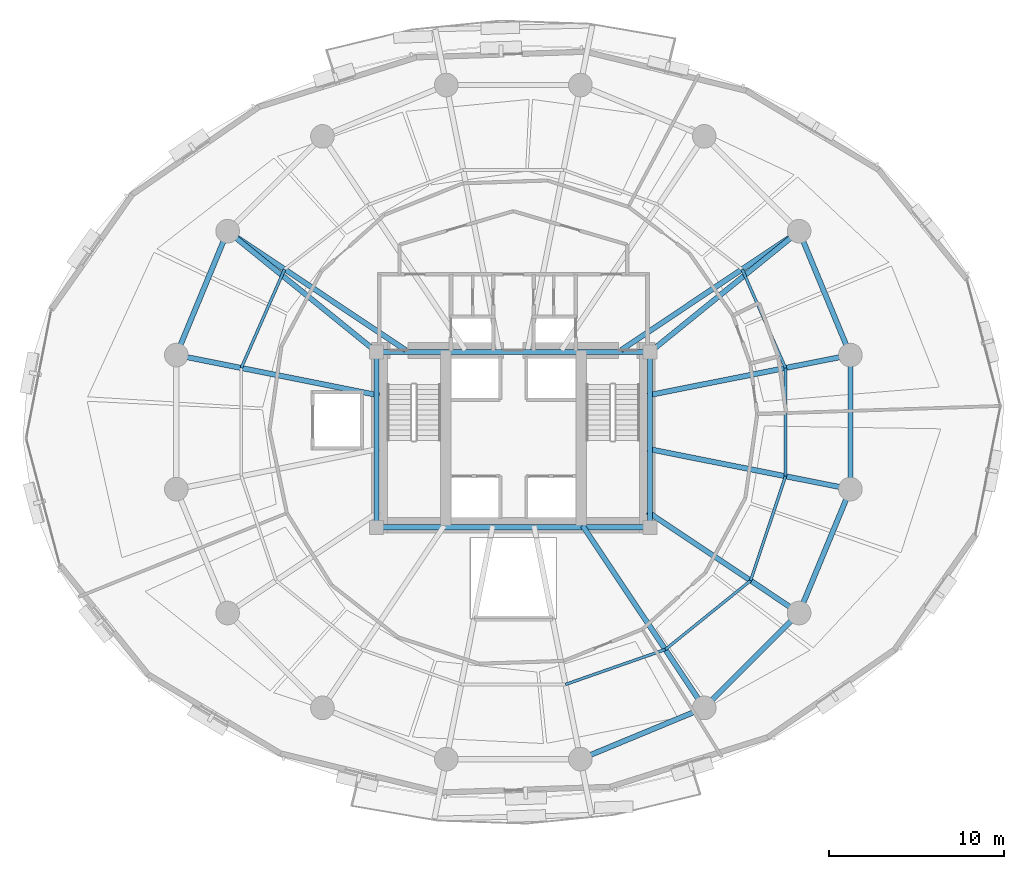
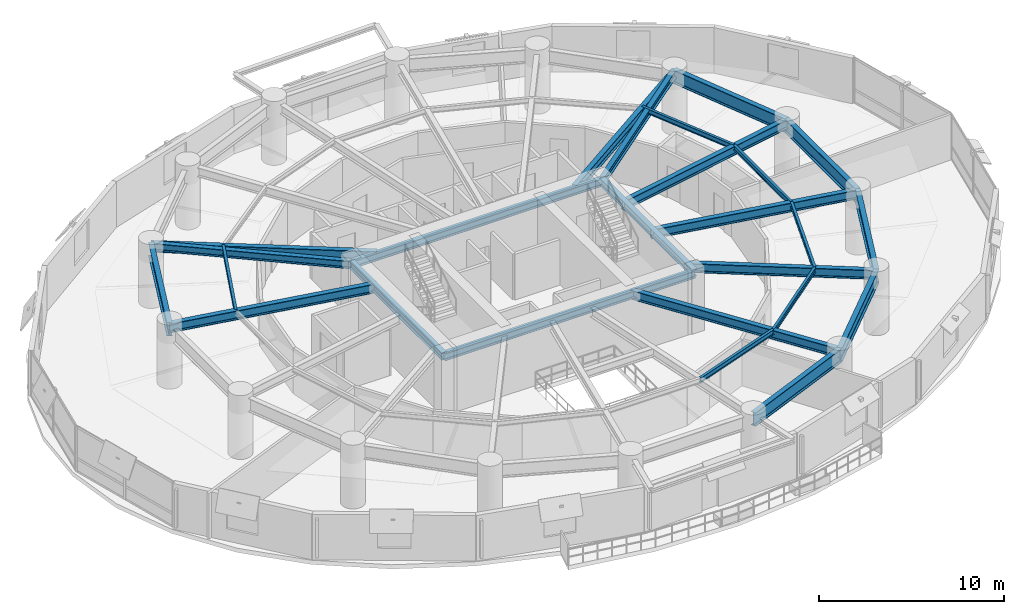
# One storey, part 7 of 15: 25 beams.
"""IFC4 building model written with IfcOpenShell, lengths in metres."""

from ifc_helpers import new_model, si_unit, direction, frame, origin, origin_2d, place, context, subcontext, project, spatial, i_section, extrude, material, material_profile, profile_set, type_object, element, save


model = new_model("IFC4")

# Units and contexts
model_context = context("Model", 3, precision=1e-05, world=origin(), true_north=direction((0.0, 1.0)))
body_context = subcontext(model_context, "Body", "Model", "MODEL_VIEW")
ifc_project = project(units=[si_unit("LENGTHUNIT", "METRE"), si_unit("AREAUNIT", "SQUARE_METRE"), si_unit("VOLUMEUNIT", "CUBIC_METRE"), si_unit("PLANEANGLEUNIT", "RADIAN"), si_unit("MASSUNIT", "GRAM", prefix="KILO"), si_unit("THERMODYNAMICTEMPERATUREUNIT", "KELVIN"), si_unit("POWERUNIT", "WATT")], contexts=[model_context])

# Site, building, storey
site_placement = place(None, origin())
site = spatial("IfcSite", under=ifc_project, at=site_placement, CompositionType="ELEMENT")
building_placement = place(site_placement, origin())
building = spatial("IfcBuilding", under=site, at=building_placement, Name="Ocrelia Relay Tower", CompositionType="ELEMENT")
storey_placement = place(building_placement, frame((0.0, 0.0, 38.39990234375)))
storey = spatial("IfcBuildingStorey", under=building, at=storey_placement, Name="L08", CompositionType="ELEMENT", Elevation=38.39990234375)

# Beams
ifc_material = material(Name="Steel S355", Category="steel")
ifc_material_profile_1 = material_profile(ifc_material, i_section(OverallWidth=0.300048828125, OverallDepth=0.5, WebThickness=0.014404296875, FlangeThickness=0.028076171875, FilletRadius=0.027099609375, at=origin_2d()), Name="HEB 500")
ifc_profile_set_1 = profile_set([ifc_material_profile_1], Name="Steel S355")
beam_type_1 = type_object("IfcBeamType", Name="BM-HEB500", PredefinedType="BEAM", material=ifc_profile_set_1)
for number, where, z_axis, x_axis, name in (
    (1, (26.199951171875, 20.0, 3.670166015625), (1.0, 0.0, 0.0), (0.0, 1.0, 0.0), "L08 Core Pilaster Tie Beam S"),
    (2, (26.199951171875, 30.0, 3.670166015625), (1.0, 0.0, 0.0), (0.0, 1.0, 0.0), "L08 Core Pilaster Tie Beam N"),
):
    element("IfcBeam", number, at=place(storey_placement, frame(where, z_axis=z_axis, x_axis=x_axis)), inside=storey, type_object=beam_type_1, Name=name, PredefinedType="BEAM", context=body_context, shape_type="SweptSolid", body=[
        extrude(i_section(OverallWidth=0.300048828125, OverallDepth=0.5, WebThickness=0.014404296875, FlangeThickness=0.028076171875, FilletRadius=0.027099609375, at=origin_2d()), origin(), (0.0, 0.0, 1.0), 15.60009765625),
    ])
for number, where, z_axis, x_axis, name in (
    (3, (26.199951171875, 20.0, 3.670166015625), (0.0, 1.0, 0.0), (-1.0, 0.0, 0.0), "L08 Core Pilaster Tie Beam W"),
    (4, (41.800048828125, 20.0, 3.670166015625), (0.0, 1.0, 0.0), (-1.0, 0.0, 0.0), "L08 Core Pilaster Tie Beam E"),
):
    element("IfcBeam", number, at=place(storey_placement, frame(where, z_axis=z_axis, x_axis=x_axis)), inside=storey, type_object=beam_type_1, Name=name, PredefinedType="BEAM", context=body_context, shape_type="SweptSolid", body=[
        extrude(i_section(OverallWidth=0.300048828125, OverallDepth=0.5, WebThickness=0.014404296875, FlangeThickness=0.028076171875, FilletRadius=0.027099609375, at=origin_2d()), origin(), (0.0, 0.0, 1.0), 10.0),
    ])
for number, where, z_axis, x_axis, name in (
    (5, (50.296875, 36.88916015625, 3.670166015625), (-0.776762830896, -0.629793223637, 0.0), (0.629793223637, -0.776762830896, 0.0), "L08 Core Pilaster Frame Tie Beam PT02"),
    (6, (17.703125, 36.88916015625, 3.670166015625), (0.776762830896, -0.629793223637, 0.0), (0.629793223637, 0.776762830896, 0.0), "L08 Core Pilaster Frame Tie Beam PT07"),
):
    element("IfcBeam", number, at=place(storey_placement, frame(where, z_axis=z_axis, x_axis=x_axis)), inside=storey, type_object=beam_type_1, Name=name, PredefinedType="BEAM", context=body_context, shape_type="SweptSolid", body=[
        extrude(i_section(OverallWidth=0.300048828125, OverallDepth=0.5, WebThickness=0.014404296875, FlangeThickness=0.028076171875, FilletRadius=0.027099609375, at=origin_2d()), origin(), (0.0, 0.0, 1.0), 10.938720703125),
    ])
ifc_material_profile_2 = material_profile(ifc_material, i_section(OverallWidth=0.300048828125, OverallDepth=0.60009765625, WebThickness=0.015380859375, FlangeThickness=0.030029296875, FilletRadius=0.027099609375, at=origin_2d()), Name="HEB 600")
ifc_profile_set_2 = profile_set([ifc_material_profile_2], Name="Steel S355")
beam_type_2 = type_object("IfcBeamType", Name="BM-HEB600", PredefinedType="BEAM", material=ifc_profile_set_2)
beam_1_placement = place(storey_placement, frame((53.223388671875, 29.82373046875, 3.6201171875), z_axis=(-0.980786324446, -0.195085073187, 0.0), x_axis=(0.195085073187, -0.980786324446, 0.0)))
element("IfcBeam", 7, at=beam_1_placement, inside=storey, type_object=beam_type_2, Name="L08 Radial Floor Girder R01", PredefinedType="BEAM", context=body_context, shape_type="SweptSolid", body=[
    extrude(i_section(OverallWidth=0.300048828125, OverallDepth=0.60009765625, WebThickness=0.015380859375, FlangeThickness=0.030029296875, FilletRadius=0.027099609375, at=origin_2d()), origin(), (0.0, 0.0, 1.0), 11.794921875),
])
for number, where, z_axis, x_axis, name in (
    (8, (50.296875, 36.88916015625, 3.6201171875), (-0.831471581268, -0.555567286243, 0.0), (0.555567286243, -0.831471581268, 0.0), "L08 Radial Floor Girder R02"),
    (9, (17.703125, 36.88916015625, 3.6201171875), (0.831471581268, -0.555567286243, 0.0), (0.555567286243, 0.831471581268, 0.0), "L08 Radial Floor Girder R07"),
):
    element("IfcBeam", number, at=place(storey_placement, frame(where, z_axis=z_axis, x_axis=x_axis)), inside=storey, type_object=beam_type_2, Name=name, PredefinedType="BEAM", context=body_context, shape_type="SweptSolid", body=[
        extrude(i_section(OverallWidth=0.300048828125, OverallDepth=0.60009765625, WebThickness=0.015380859375, FlangeThickness=0.030029296875, FilletRadius=0.027099609375, at=origin_2d()), origin(), (0.0, 0.0, 1.0), 12.211181640625),
    ])
beam_2_placement = place(storey_placement, frame((14.776611328125, 29.82373046875, 3.6201171875), z_axis=(0.980786938484, -0.195081986098, 0.0), x_axis=(0.195081986098, 0.980786938484, 0.0)))
element("IfcBeam", 10, at=beam_2_placement, inside=storey, type_object=beam_type_2, Name="L08 Radial Floor Girder R08", PredefinedType="BEAM", context=body_context, shape_type="SweptSolid", body=[
    extrude(i_section(OverallWidth=0.300048828125, OverallDepth=0.60009765625, WebThickness=0.015380859375, FlangeThickness=0.030029296875, FilletRadius=0.027099609375, at=origin_2d()), origin(), (0.0, 0.0, 1.0), 11.80517578125),
])
beam_3_placement = place(storey_placement, frame((44.88916015625, 9.703125, 3.6201171875), z_axis=(-0.555569912646, 0.831469826369, 0.0), x_axis=(-0.831469826369, -0.555569912646, 0.0)))
element("IfcBeam", 11, at=beam_3_placement, inside=storey, type_object=beam_type_2, Name="L08 Radial Floor Girder R14", PredefinedType="BEAM", context=body_context, shape_type="SweptSolid", body=[
    extrude(i_section(OverallWidth=0.300048828125, OverallDepth=0.60009765625, WebThickness=0.015380859375, FlangeThickness=0.030029296875, FilletRadius=0.027099609375, at=origin_2d()), origin(), (0.0, 0.0, 1.0), 12.498046875),
])
beam_4_placement = place(storey_placement, frame((50.296875, 15.11083984375, 3.6201171875), z_axis=(-0.831475246583, 0.555561800631, 0.0), x_axis=(-0.555561800631, -0.831475246583, 0.0)))
element("IfcBeam", 12, at=beam_4_placement, inside=storey, type_object=beam_type_2, Name="L08 Radial Floor Girder R15", PredefinedType="BEAM", context=body_context, shape_type="SweptSolid", body=[
    extrude(i_section(OverallWidth=0.300048828125, OverallDepth=0.60009765625, WebThickness=0.015380859375, FlangeThickness=0.030029296875, FilletRadius=0.027099609375, at=origin_2d()), origin(), (0.0, 0.0, 1.0), 10.393310546875),
])
beam_5_placement = place(storey_placement, frame((53.223388671875, 22.17626953125, 3.6201171875), z_axis=(-0.980786324446, 0.195085073187, 0.0), x_axis=(-0.195085073187, -0.980786324446, 0.0)))
element("IfcBeam", 13, at=beam_5_placement, inside=storey, type_object=beam_type_2, Name="L08 Radial Floor Girder R16", PredefinedType="BEAM", context=body_context, shape_type="SweptSolid", body=[
    extrude(i_section(OverallWidth=0.300048828125, OverallDepth=0.60009765625, WebThickness=0.015380859375, FlangeThickness=0.030029296875, FilletRadius=0.027099609375, at=origin_2d()), origin(), (0.0, 0.0, 1.0), 11.794921875),
])
ifc_material_profile_3 = material_profile(ifc_material, i_section(OverallWidth=0.300048828125, OverallDepth=0.89990234375, WebThickness=0.0185546875, FlangeThickness=0.034912109375, FilletRadius=0.030029296875, at=origin_2d()), Name="HEB 900")
ifc_profile_set_3 = profile_set([ifc_material_profile_3], Name="Steel S355")
beam_type_3 = type_object("IfcBeamType", Name="BM-HEB900", PredefinedType="BEAM", material=ifc_profile_set_3)
for number, where, z_axis, x_axis, name in (
    (14, (53.223388671875, 29.82373046875, 3.47021484375), (-0.382674154222, 0.923883375589, 0.0), (-0.923883375589, -0.382674154222, 0.0), "L08 Perimeter Spandrel Beam S01"),
    (15, (17.703125, 36.88916015625, 3.47021484375), (-0.382674154222, -0.923883375589, 0.0), (0.923883375589, -0.382674154222, 0.0), "L08 Perimeter Spandrel Beam S07"),
    (16, (37.82373046875, 6.776611328125, 3.47021484375), (0.923883375589, 0.382674154222, 0.0), (-0.382674154222, 0.923883375589, 0.0), "L08 Perimeter Spandrel Beam S13"),
):
    element("IfcBeam", number, at=place(storey_placement, frame(where, z_axis=z_axis, x_axis=x_axis)), inside=storey, type_object=beam_type_3, Name=name, PredefinedType="BEAM", context=body_context, shape_type="SweptSolid", body=[
        extrude(i_section(OverallWidth=0.300048828125, OverallDepth=0.89990234375, WebThickness=0.0185546875, FlangeThickness=0.034912109375, FilletRadius=0.030029296875, at=origin_2d()), origin(), (0.0, 0.0, 1.0), 7.6474609375),
    ])
beam_6_placement = place(storey_placement, frame((44.88916015625, 9.703125, 3.47021484375), z_axis=(0.707106781187, 0.707106781187, 0.0), x_axis=(-0.707106781187, 0.707106781187, 0.0)))
element("IfcBeam", 17, at=beam_6_placement, inside=storey, type_object=beam_type_3, Name="L08 Perimeter Spandrel Beam S14", PredefinedType="BEAM", context=body_context, shape_type="SweptSolid", body=[
    extrude(i_section(OverallWidth=0.300048828125, OverallDepth=0.89990234375, WebThickness=0.0185546875, FlangeThickness=0.034912109375, FilletRadius=0.030029296875, at=origin_2d()), origin(), (0.0, 0.0, 1.0), 7.647705078125),
])
for number, where, z_axis, x_axis, name in (
    (18, (50.296875, 15.11083984375, 3.47021484375), (0.382674154222, 0.923883375589, 0.0), (-0.923883375589, 0.382674154222, 0.0), "L08 Perimeter Spandrel Beam S15"),
    (19, (53.223388671875, 22.17626953125, 3.47021484375), (0.0, 1.0, 0.0), (-1.0, 0.0, 0.0), "L08 Perimeter Spandrel Beam S16"),
):
    element("IfcBeam", number, at=place(storey_placement, frame(where, z_axis=z_axis, x_axis=x_axis)), inside=storey, type_object=beam_type_3, Name=name, PredefinedType="BEAM", context=body_context, shape_type="SweptSolid", body=[
        extrude(i_section(OverallWidth=0.300048828125, OverallDepth=0.89990234375, WebThickness=0.0185546875, FlangeThickness=0.034912109375, FilletRadius=0.030029296875, at=origin_2d()), origin(), (0.0, 0.0, 1.0), 7.6474609375),
    ])
ifc_material_profile_4 = material_profile(ifc_material, i_section(OverallWidth=0.159912109375, OverallDepth=0.330078125, WebThickness=0.007568359375, FlangeThickness=0.011474609375, FilletRadius=0.01806640625, at=origin_2d()), Name="IPE 330")
ifc_profile_set_4 = profile_set([ifc_material_profile_4], Name="Steel S355")
beam_type_4 = type_object("IfcBeamType", Name="BM-IPE330", PredefinedType="JOIST", material=ifc_profile_set_4)
beam_7_placement = place(storey_placement, frame((49.521484375, 29.08740234375, 3.755126953125), z_axis=(-0.402201104053, 0.915551348586, 0.0), x_axis=(-0.915551348586, -0.402201104053, 0.0)))
element("IfcBeam", 20, at=beam_7_placement, inside=storey, type_object=beam_type_4, Name="L08 Secondary Floor Joist J01", PredefinedType="JOIST", context=body_context, shape_type="SweptSolid", body=[
    extrude(i_section(OverallWidth=0.159912109375, OverallDepth=0.330078125, WebThickness=0.007568359375, FlangeThickness=0.011474609375, FilletRadius=0.01806640625, at=origin_2d()), origin(), (0.0, 0.0, 1.0), 6.150146484375),
])
beam_8_placement = place(storey_placement, frame((20.9521484375, 34.71826171875, 3.755126953125), z_axis=(-0.401739185135, -0.915754130281, 0.0), x_axis=(0.915754130281, -0.401739185135, 0.0)))
element("IfcBeam", 21, at=beam_8_placement, inside=storey, type_object=beam_type_4, Name="L08 Secondary Floor Joist J07", PredefinedType="JOIST", context=body_context, shape_type="SweptSolid", body=[
    extrude(i_section(OverallWidth=0.159912109375, OverallDepth=0.330078125, WebThickness=0.007568359375, FlangeThickness=0.011474609375, FilletRadius=0.01806640625, at=origin_2d()), origin(), (0.0, 0.0, 1.0), 6.1494140625),
])
beam_9_placement = place(storey_placement, frame((36.97607421875, 11.03857421875, 3.755126953125), z_axis=(0.943957429675, 0.330067221882, 0.0), x_axis=(-0.330067221882, 0.943957429675, 0.0)))
element("IfcBeam", 22, at=beam_9_placement, inside=storey, type_object=beam_type_4, Name="L08 Secondary Floor Joist J13", PredefinedType="JOIST", context=body_context, shape_type="SweptSolid", body=[
    extrude(i_section(OverallWidth=0.159912109375, OverallDepth=0.330078125, WebThickness=0.007568359375, FlangeThickness=0.011474609375, FilletRadius=0.01806640625, at=origin_2d()), origin(), (0.0, 0.0, 1.0), 6.029052734375),
])
beam_10_placement = place(storey_placement, frame((42.667236328125, 13.028564453125, 3.755126953125), z_axis=(0.777854562422, 0.628444333031, 0.0), x_axis=(-0.628444333031, 0.777854562422, 0.0)))
element("IfcBeam", 23, at=beam_10_placement, inside=storey, type_object=beam_type_4, Name="L08 Secondary Floor Joist J14", PredefinedType="JOIST", context=body_context, shape_type="SweptSolid", body=[
    extrude(i_section(OverallWidth=0.159912109375, OverallDepth=0.330078125, WebThickness=0.007568359375, FlangeThickness=0.011474609375, FilletRadius=0.01806640625, at=origin_2d()), origin(), (0.0, 0.0, 1.0), 6.25341796875),
])
beam_11_placement = place(storey_placement, frame((47.531494140625, 16.95849609375, 3.755126953125), z_axis=(0.31698600471, 0.948430215049, 0.0), x_axis=(-0.948430215049, 0.31698600471, 0.0)))
element("IfcBeam", 24, at=beam_11_placement, inside=storey, type_object=beam_type_4, Name="L08 Secondary Floor Joist J15", PredefinedType="JOIST", context=body_context, shape_type="SweptSolid", body=[
    extrude(i_section(OverallWidth=0.159912109375, OverallDepth=0.330078125, WebThickness=0.007568359375, FlangeThickness=0.011474609375, FilletRadius=0.01806640625, at=origin_2d()), origin(), (0.0, 0.0, 1.0), 6.27783203125),
])
beam_12_placement = place(storey_placement, frame((49.521484375, 22.91259765625, 3.755126953125), z_axis=(0.0, 1.0, 0.0), x_axis=(-1.0, 0.0, 0.0)))
element("IfcBeam", 25, at=beam_12_placement, inside=storey, type_object=beam_type_4, Name="L08 Secondary Floor Joist J16", PredefinedType="JOIST", context=body_context, shape_type="SweptSolid", body=[
    extrude(i_section(OverallWidth=0.159912109375, OverallDepth=0.330078125, WebThickness=0.007568359375, FlangeThickness=0.011474609375, FilletRadius=0.01806640625, at=origin_2d()), origin(), (0.0, 0.0, 1.0), 6.1748046875),
])

save(model, "model.ifc")
